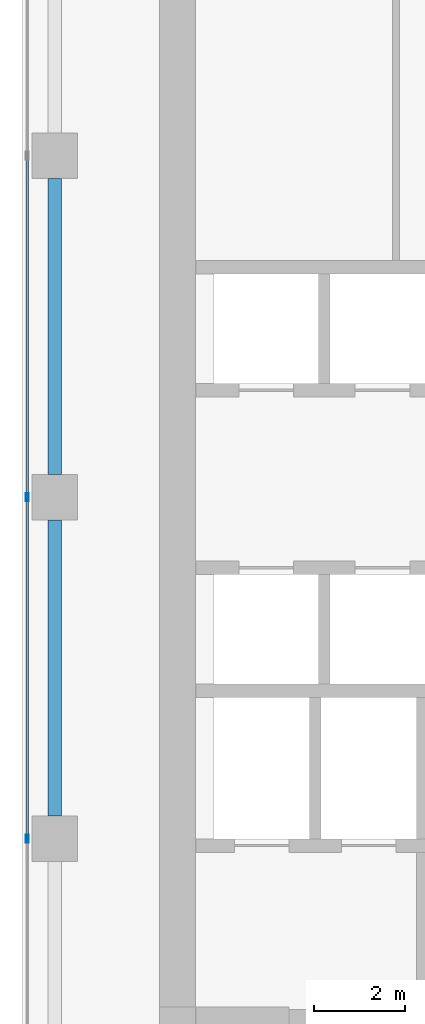
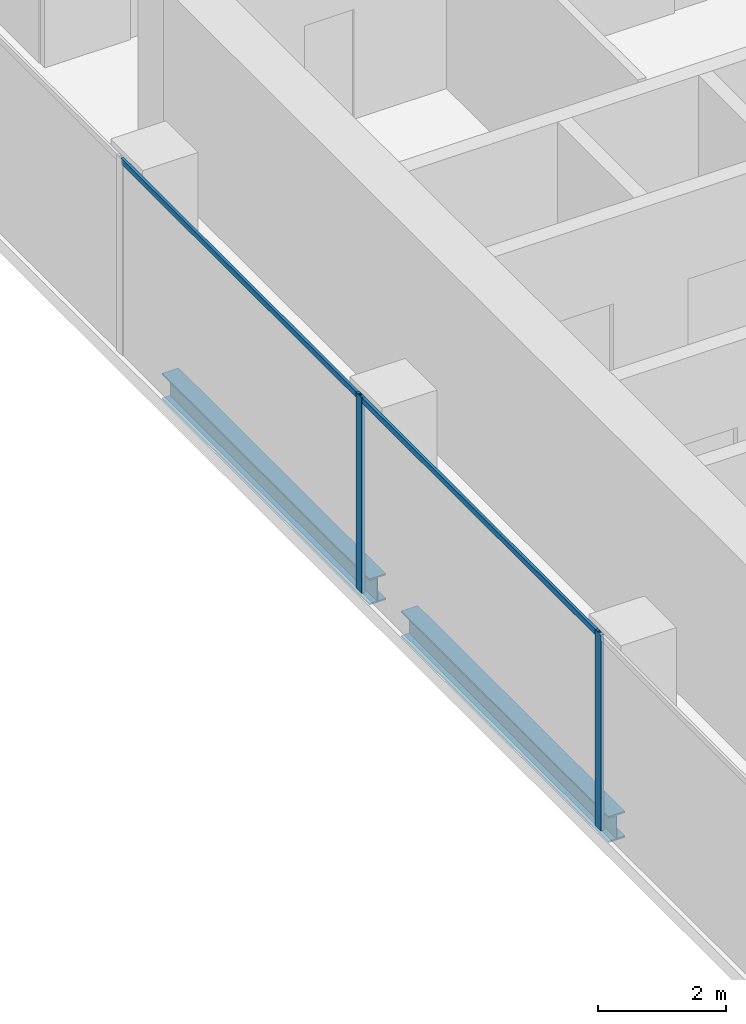
# One storey, part 8 of 38: 4 members, 2 beams, 1 element without a shape of its own.
"""IFC4 building model written with IfcOpenShell, lengths in metres."""

from ifc_helpers import new_model, si_unit, direction, frame, origin, origin_2d, place, context, subcontext, project, spatial, hollow_rectangle, i_section, extrude, source, transform, mapped, material, material_profile, profile_set, type_object, element, aggregate, save


model = new_model("IFC4")

# Units and contexts
model_context = context("Model", 3, precision=1e-05, world=origin(), true_north=direction((0.0, 1.0)))
body_context = subcontext(model_context, "Body", "Model", "MODEL_VIEW")
ifc_project = project(units=[si_unit("LENGTHUNIT", "METRE"), si_unit("AREAUNIT", "SQUARE_METRE"), si_unit("VOLUMEUNIT", "CUBIC_METRE"), si_unit("PLANEANGLEUNIT", "RADIAN"), si_unit("MASSUNIT", "GRAM", prefix="KILO")], contexts=[model_context])

# Site, building, storey
site_placement = place(None, origin())
site = spatial("IfcSite", under=ifc_project, at=site_placement, CompositionType="ELEMENT")
building_placement = place(site_placement, origin())
building = spatial("IfcBuilding", under=site, at=building_placement, Name="Khomas Fold Tower", CompositionType="ELEMENT")
storey_placement = place(building_placement, frame((0.0, 0.0, 196.699951171875)))
storey = spatial("IfcBuildingStorey", under=building, at=storey_placement, Name="L43", CompositionType="ELEMENT", Elevation=196.699951171875)

# Beams
ifc_material_1 = material(Name="Steel S355", Category="steel")
ifc_material_profile_1 = material_profile(ifc_material_1, i_section(OverallWidth=0.300048828125, OverallDepth=0.5, WebThickness=0.014404296875, FlangeThickness=0.028076171875, at=origin_2d()), Name="HE 500 B")
ifc_profile_set_1 = profile_set([ifc_material_profile_1], Name="Steel S355")
beam_type = type_object("IfcBeamType", Name="HE 500 B spandrel SB3", PredefinedType="SPANDREL", material=ifc_profile_set_1)
shared_shape_1 = source(origin(), body_context, "Body", "SweptSolid", [
    extrude(i_section(OverallWidth=0.300048828125, OverallDepth=0.5, WebThickness=0.014404296875, FlangeThickness=0.028076171875, at=origin_2d()), origin(), (0.0, 0.0, 1.0), 6.5),
])
for number, where, z_axis, x_axis, name in (
    (1, (3.699951171875, 27.5, -0.5), (0.0, 1.0, 0.0), (-1.0, 0.0, 0.0), "SB3"),
    (2, (3.699951171875, 20.0, -0.5), (0.0, 1.0, 0.0), (-1.0, 0.0, 0.0), "SB3"),
):
    element("IfcBeam", number, at=place(storey_placement, frame(where, z_axis=z_axis, x_axis=x_axis)), inside=storey, type_object=beam_type, Name=name, PredefinedType="SPANDREL", context=body_context, shape_type="MappedRepresentation", body=[
        mapped(shared_shape_1, transform((0.0, 0.0, 0.0))),
    ])

# Curtain wall, members
ifc_material_2 = material(Name="Aluminium framed double glazing", Category="aluminium")
curtain_wall_type = type_object("IfcCurtainWallType", Name="SK-Unitised clear-glass wall, office floors CW2", PredefinedType="NOTDEFINED", material=ifc_material_2)
curtain_wall_placement = place(storey_placement, origin())
curtain_wall = element("IfcCurtainWall", 3, at=curtain_wall_placement, inside=storey, type_object=curtain_wall_type, Name="CW2 run L43 09-0", PredefinedType="NOTDEFINED")
ifc_material_3 = material(Name="Aluminium", Category="aluminium")
ifc_material_profile_2 = material_profile(ifc_material_3, hollow_rectangle(XDim=0.06005859375, YDim=0.179931640625, WallThickness=0.00390625, at=origin_2d()), Name="SK-Unitised clear-glass wall, office floors mullion CW2-M")
ifc_profile_set_2 = profile_set([ifc_material_profile_2], Name="Aluminium")
member_type_1 = type_object("IfcMemberType", Name="SK-Unitised clear-glass wall, office floors mullion CW2-M", PredefinedType="MULLION", material=ifc_profile_set_2)
shared_shape_2 = source(origin(), body_context, "Body", "SweptSolid", [
    extrude(hollow_rectangle(XDim=0.06005859375, YDim=0.179931640625, WallThickness=0.00390625, at=origin_2d()), origin(), (0.0, 0.0, 1.0), 3.75),
])
member_1_placement = place(storey_placement, frame((3.10009765625, 27.0, 0.0), z_axis=(0.0, 0.0, 1.0), x_axis=(1.0, 0.0, 0.0)))
member_1 = element("IfcMember", 4, at=member_1_placement, type_object=member_type_1, Name="CW2 mullion 5", PredefinedType="MULLION", context=body_context, shape_type="MappedRepresentation", body=[
    mapped(shared_shape_2, transform((0.0, 0.0, 0.0))),
])
member_2_placement = place(storey_placement, frame((3.10009765625, 19.5, 0.0), z_axis=(0.0, 0.0, 1.0), x_axis=(1.0, 0.0, 0.0)))
member_2 = element("IfcMember", 5, at=member_2_placement, type_object=member_type_1, Name="CW2 mullion 6", PredefinedType="MULLION", context=body_context, shape_type="MappedRepresentation", body=[
    mapped(shared_shape_2, transform((0.0, 0.0, 0.0))),
])
ifc_material_4 = material(Name="Aluminium", Category="aluminium")
ifc_material_profile_3 = material_profile(ifc_material_4, hollow_rectangle(XDim=0.050048828125, YDim=0.110107421875, WallThickness=0.00390625, at=origin_2d()), Name="SK-Unitised clear-glass wall, office floors transom CW2-T")
ifc_profile_set_3 = profile_set([ifc_material_profile_3], Name="Aluminium")
member_type_2 = type_object("IfcMemberType", Name="SK-Unitised clear-glass wall, office floors transom CW2-T", PredefinedType="USERDEFINED", material=ifc_profile_set_3)
shared_shape_3 = source(origin(), body_context, "Body", "SweptSolid", [
    extrude(hollow_rectangle(XDim=0.050048828125, YDim=0.110107421875, WallThickness=0.00390625, at=origin_2d()), origin(), (0.0, 0.0, 1.0), 7.43994140625),
])
member_3_placement = place(storey_placement, frame((3.10009765625, 34.469970703125, 3.695068359375), z_axis=(0.0, -1.0, 0.0), x_axis=(1.0, 0.0, 0.0)))
member_3 = element("IfcMember", 6, at=member_3_placement, type_object=member_type_2, Name="CW2 transom 4", ObjectType="TRANSOM", PredefinedType="USERDEFINED", context=body_context, shape_type="MappedRepresentation", body=[
    mapped(shared_shape_3, transform((0.0, 0.0, 0.0))),
])
member_4_placement = place(storey_placement, frame((3.10009765625, 26.969970703125, 3.695068359375), z_axis=(0.0, -1.0, 0.0), x_axis=(1.0, 0.0, 0.0)))
member_4 = element("IfcMember", 7, at=member_4_placement, type_object=member_type_2, Name="CW2 transom 5", ObjectType="TRANSOM", PredefinedType="USERDEFINED", context=body_context, shape_type="MappedRepresentation", body=[
    mapped(shared_shape_3, transform((0.0, 0.0, 0.0))),
])
aggregate(curtain_wall, [member_1, member_2, member_3, member_4])

save(model, "model.ifc")
